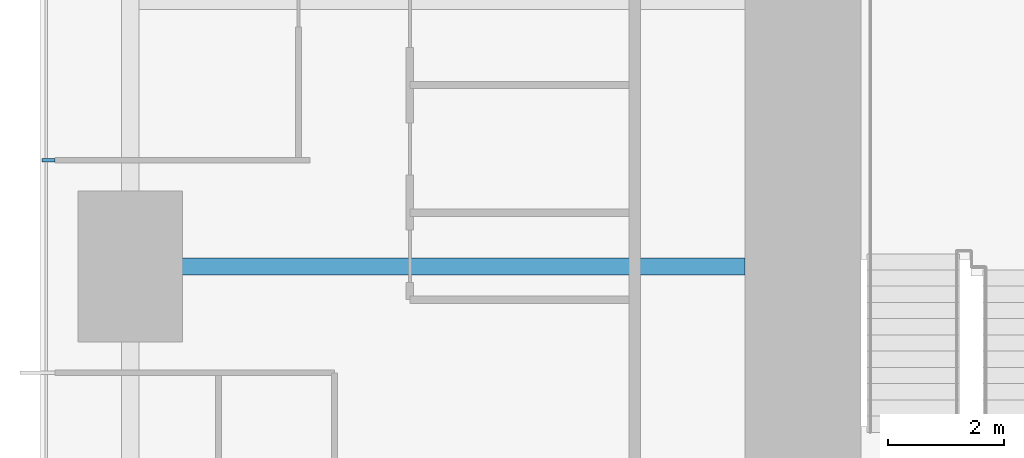
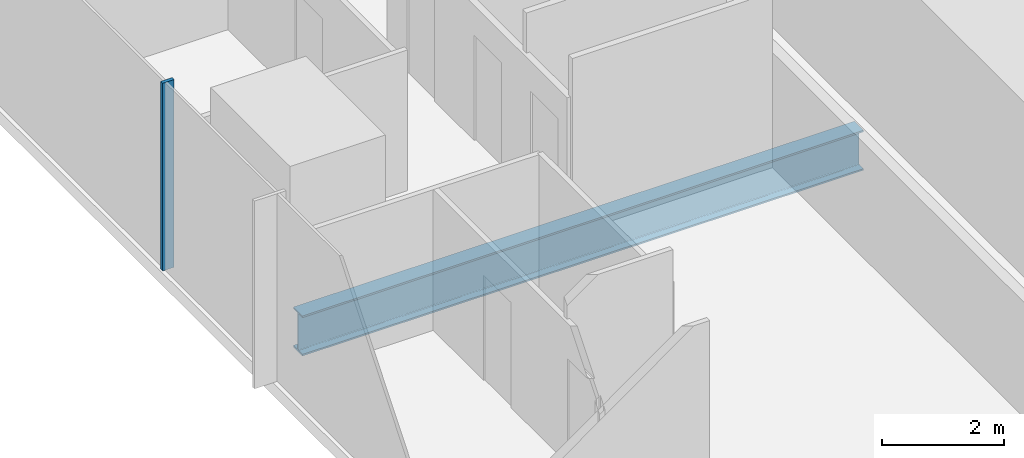
# One storey, part 3 of 13: 1 beam, 1 member, 1 element without a shape of its own.
"""IFC4 building model written with IfcOpenShell, lengths in metres."""

from ifc_helpers import new_model, si_unit, direction, frame, origin, origin_2d, place, context, subcontext, project, spatial, rectangle, i_section, extrude, material, material_profile, profile_set, type_object, element, aggregate, save


model = new_model("IFC4")

# Units and contexts
model_context = context("Model", 3, precision=1e-05, world=origin(), true_north=direction((0.0, 1.0)))
body_context = subcontext(model_context, "Body", "Model", "MODEL_VIEW")
ifc_project = project(units=[si_unit("LENGTHUNIT", "METRE"), si_unit("AREAUNIT", "SQUARE_METRE"), si_unit("VOLUMEUNIT", "CUBIC_METRE"), si_unit("PLANEANGLEUNIT", "RADIAN"), si_unit("MASSUNIT", "GRAM", prefix="KILO")], contexts=[model_context])

# Site, building, storey
site_placement = place(None, origin())
site = spatial("IfcSite", under=ifc_project, at=site_placement, CompositionType="ELEMENT")
building_placement = place(site_placement, origin())
building = spatial("IfcBuilding", under=site, at=building_placement, Name="Khuree Lantern Residences", CompositionType="ELEMENT")
storey_placement = place(building_placement, frame((0.0, 0.0, 152.25)))
storey = spatial("IfcBuildingStorey", under=building, at=storey_placement, Name="L38", CompositionType="ELEMENT", Elevation=152.25)

# Beam
ifc_material_1 = material(Name="Steel S355", Category="steel")
ifc_material_profile_1 = material_profile(ifc_material_1, i_section(OverallWidth=0.300048828125, OverallDepth=0.800048828125, WebThickness=0.017578125, FlangeThickness=0.032958984375, FilletRadius=0.030029296875, at=origin_2d()), Name="HE 800 B")
ifc_profile_set_1 = profile_set([ifc_material_profile_1], Name="Steel S355")
beam_type = type_object("IfcBeamType", Name="G-24 GIRDER HE 800 B", PredefinedType="BEAM", material=ifc_profile_set_1)
beam_placement = place(storey_placement, frame((-27.10009765625, 0.0, -0.64990234375), z_axis=(1.0, 0.0, 0.0), x_axis=(0.0, 1.0, 0.0)))
element("IfcBeam", 1, at=beam_placement, inside=storey, type_object=beam_type, Name="Girder W3", PredefinedType="BEAM", context=body_context, shape_type="SweptSolid", body=[
    extrude(i_section(OverallWidth=0.300048828125, OverallDepth=0.800048828125, WebThickness=0.017578125, FlangeThickness=0.032958984375, FilletRadius=0.030029296875, at=origin_2d()), origin(), (0.0, 0.0, 1.0), 10.60009765625),
])

# Curtain wall, member
ifc_material_2 = material(Name="Bronze anodised aluminium", Category="aluminium")
curtain_wall_type = type_object("IfcCurtainWallType", Name="CW-T1 TOWER FACE CURTAIN WALL", PredefinedType="USERDEFINED", material=ifc_material_2)
curtain_wall_placement = place(storey_placement, origin())
curtain_wall = element("IfcCurtainWall", 2, at=curtain_wall_placement, inside=storey, type_object=curtain_wall_type, Name="L38 WEST FACE CURTAIN WALL", ObjectType="Stick-built curtain wall", PredefinedType="USERDEFINED")
ifc_material_profile_2 = material_profile(ifc_material_2, rectangle(XDim=0.06494140625, YDim=0.219970703125, at=origin_2d()), Name="M1 65X220")
ifc_profile_set_2 = profile_set([ifc_material_profile_2], Name="Bronze anodised aluminium")
member_type = type_object("IfcMemberType", Name="M1 BRONZE MULLION TOWER 65X220", PredefinedType="MULLION", material=ifc_profile_set_2)
member_placement = place(storey_placement, frame((-28.510009765625, 1.83203125, 0.0), z_axis=(0.0, 0.0, 1.0), x_axis=(0.0, -1.0, 0.0)))
member = element("IfcMember", 3, at=member_placement, type_object=member_type, Name="L38 WEST FACE MULLION 37", PredefinedType="MULLION", context=body_context, shape_type="SweptSolid", body=[
    extrude(rectangle(XDim=0.06494140625, YDim=0.219970703125, at=origin_2d()), origin(), (0.0, 0.0, 1.0), 3.75),
])
aggregate(curtain_wall, [member])

save(model, "model.ifc")
